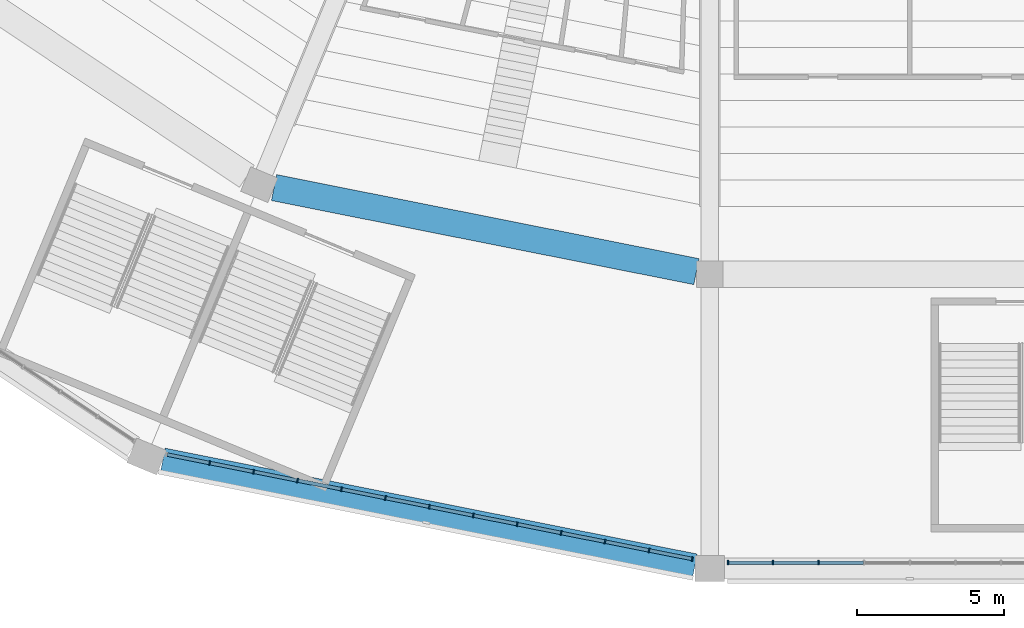
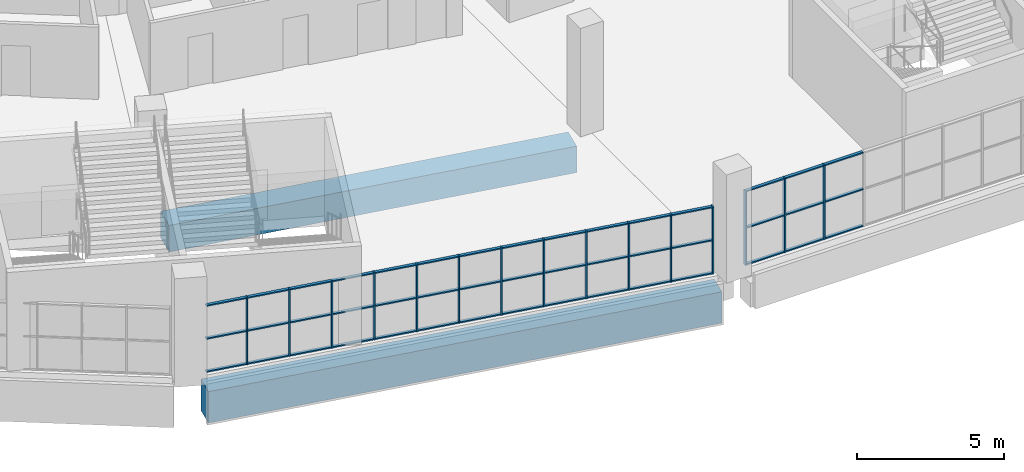
# One storey, part 5 of 249: 60 members, 2 beams, 2 elements without a shape of their own.
"""IFC4 building model written with IfcOpenShell, lengths in metres."""

from ifc_helpers import new_model, si_unit, direction, frame, origin, origin_2d, place, context, subcontext, project, spatial, rectangle, extrude, material, material_profile, profile_set, type_object, element, aggregate, save


model = new_model("IFC4")

# Units and contexts
model_context = context("Model", 3, precision=1e-05, world=origin(), true_north=direction((0.0, 1.0)))
body_context = subcontext(model_context, "Body", "Model", "MODEL_VIEW")
ifc_project = project(units=[si_unit("LENGTHUNIT", "METRE"), si_unit("AREAUNIT", "SQUARE_METRE"), si_unit("VOLUMEUNIT", "CUBIC_METRE"), si_unit("PLANEANGLEUNIT", "RADIAN"), si_unit("MASSUNIT", "GRAM", prefix="KILO")], contexts=[model_context])

# Site, building, storey
site_placement = place(None, origin())
site = spatial("IfcSite", under=ifc_project, at=site_placement, CompositionType="ELEMENT")
building_placement = place(site_placement, origin())
building = spatial("IfcBuilding", under=site, at=building_placement, Name="Ogive Plaza Stadium", CompositionType="ELEMENT")
storey_placement = place(building_placement, frame((0.0, 0.0, 13.5)))
storey = spatial("IfcBuildingStorey", under=building, at=storey_placement, Name="L03", CompositionType="ELEMENT", Elevation=13.5)

# Curtain wall, members
ifc_material_1 = material(Name="Bronze-anodised aluminium with laminated glass", Category="aluminium")
curtain_wall_type = type_object("IfcCurtainWallType", Name="Lancet curtain wall", PredefinedType="NOTDEFINED", material=ifc_material_1)
curtain_wall_1_placement = place(storey_placement, origin())
curtain_wall_1 = element("IfcCurtainWall", 1, at=curtain_wall_1_placement, inside=storey, type_object=curtain_wall_type, Name="CURTAIN WALL B16 L03", PredefinedType="NOTDEFINED")
ifc_material_2 = material(Name="Bronze-anodised aluminium", Category="aluminium")
ifc_material_profile_1 = material_profile(ifc_material_2, rectangle(XDim=0.14990234375, YDim=0.050048828125, at=origin_2d()), Name="AL 150x50")
ifc_profile_set_1 = profile_set([ifc_material_profile_1], Name="Bronze-anodised aluminium")
member_type_1 = type_object("IfcMemberType", Name="Curtain wall mullion 50x150", PredefinedType="MULLION", material=ifc_profile_set_1)
member_1_placement = place(storey_placement, frame((-30.300048828125, -102.300048828125, 0.0), z_axis=(0.0, 0.0, 1.0), x_axis=(0.0, -1.0, 0.0)))
member_1 = element("IfcMember", 2, at=member_1_placement, type_object=member_type_1, Name="CW-B16-L03 mullion 7", PredefinedType="MULLION", context=body_context, shape_type="SweptSolid", body=[
    extrude(rectangle(XDim=0.14990234375, YDim=0.050048828125, at=origin_2d()), origin(), (0.0, 0.0, 1.0), 3.090087890625),
])
member_2_placement = place(storey_placement, frame((-31.85009765625, -102.300048828125, 0.0), z_axis=(0.0, 0.0, 1.0), x_axis=(0.0, -1.0, 0.0)))
member_2 = element("IfcMember", 3, at=member_2_placement, type_object=member_type_1, Name="CW-B16-L03 mullion 8", PredefinedType="MULLION", context=body_context, shape_type="SweptSolid", body=[
    extrude(rectangle(XDim=0.14990234375, YDim=0.050048828125, at=origin_2d()), origin(), (0.0, 0.0, 1.0), 3.090087890625),
])
member_3_placement = place(storey_placement, frame((-33.375, -102.300048828125, 0.0), z_axis=(0.0, 0.0, 1.0), x_axis=(0.0, -1.0, 0.0)))
member_3 = element("IfcMember", 4, at=member_3_placement, type_object=member_type_1, Name="CW-B16-L03 mullion 9", PredefinedType="MULLION", context=body_context, shape_type="SweptSolid", body=[
    extrude(rectangle(XDim=0.14990234375, YDim=0.050048828125, at=origin_2d()), origin(), (0.0, 0.0, 1.0), 3.090087890625),
])

curtain_wall_2_placement = place(storey_placement, origin())
curtain_wall_2 = element("IfcCurtainWall", 5, at=curtain_wall_2_placement, inside=storey, type_object=curtain_wall_type, Name="CURTAIN WALL B17 L03", PredefinedType="NOTDEFINED")
member_4_placement = place(storey_placement, frame((-34.593994140625, -102.177978515625, 0.0), z_axis=(0.0, 0.0, 1.0), x_axis=(-0.195090322033, -0.9807852804, 0.0)))
member_4 = element("IfcMember", 6, at=member_4_placement, type_object=member_type_1, Name="CW-B17-L03 mullion 1", PredefinedType="MULLION", context=body_context, shape_type="SweptSolid", body=[
    extrude(rectangle(XDim=0.14990234375, YDim=0.050048828125, at=origin_2d()), origin(), (0.0, 0.0, 1.0), 2.7900390625),
])
member_5_placement = place(storey_placement, frame((-36.0625, -101.8857421875, 0.0), z_axis=(0.0, 0.0, 1.0), x_axis=(-0.195090322033, -0.9807852804, 0.0)))
member_5 = element("IfcMember", 7, at=member_5_placement, type_object=member_type_1, Name="CW-B17-L03 mullion 2", PredefinedType="MULLION", context=body_context, shape_type="SweptSolid", body=[
    extrude(rectangle(XDim=0.14990234375, YDim=0.050048828125, at=origin_2d()), origin(), (0.0, 0.0, 1.0), 2.7900390625),
])
member_6_placement = place(storey_placement, frame((-37.5556640625, -101.5888671875, 0.0), z_axis=(0.0, 0.0, 1.0), x_axis=(-0.195090322033, -0.9807852804, 0.0)))
member_6 = element("IfcMember", 8, at=member_6_placement, type_object=member_type_1, Name="CW-B17-L03 mullion 3", PredefinedType="MULLION", context=body_context, shape_type="SweptSolid", body=[
    extrude(rectangle(XDim=0.14990234375, YDim=0.050048828125, at=origin_2d()), origin(), (0.0, 0.0, 1.0), 2.7900390625),
])
member_7_placement = place(storey_placement, frame((-39.048828125, -101.291748046875, 0.0), z_axis=(0.0, 0.0, 1.0), x_axis=(-0.195090322033, -0.9807852804, 0.0)))
member_7 = element("IfcMember", 9, at=member_7_placement, type_object=member_type_1, Name="CW-B17-L03 mullion 4", PredefinedType="MULLION", context=body_context, shape_type="SweptSolid", body=[
    extrude(rectangle(XDim=0.14990234375, YDim=0.050048828125, at=origin_2d()), origin(), (0.0, 0.0, 1.0), 2.7900390625),
])
member_8_placement = place(storey_placement, frame((-40.5419921875, -100.994873046875, 0.0), z_axis=(0.0, 0.0, 1.0), x_axis=(-0.195090322033, -0.9807852804, 0.0)))
member_8 = element("IfcMember", 10, at=member_8_placement, type_object=member_type_1, Name="CW-B17-L03 mullion 5", PredefinedType="MULLION", context=body_context, shape_type="SweptSolid", body=[
    extrude(rectangle(XDim=0.14990234375, YDim=0.050048828125, at=origin_2d()), origin(), (0.0, 0.0, 1.0), 2.7900390625),
])
member_9_placement = place(storey_placement, frame((-42.034912109375, -100.69775390625, 0.0), z_axis=(0.0, 0.0, 1.0), x_axis=(-0.195090322033, -0.9807852804, 0.0)))
member_9 = element("IfcMember", 11, at=member_9_placement, type_object=member_type_1, Name="CW-B17-L03 mullion 6", PredefinedType="MULLION", context=body_context, shape_type="SweptSolid", body=[
    extrude(rectangle(XDim=0.14990234375, YDim=0.050048828125, at=origin_2d()), origin(), (0.0, 0.0, 1.0), 2.7900390625),
])
member_10_placement = place(storey_placement, frame((-43.528076171875, -100.40087890625, 0.0), z_axis=(0.0, 0.0, 1.0), x_axis=(-0.195090322033, -0.9807852804, 0.0)))
member_10 = element("IfcMember", 12, at=member_10_placement, type_object=member_type_1, Name="CW-B17-L03 mullion 7", PredefinedType="MULLION", context=body_context, shape_type="SweptSolid", body=[
    extrude(rectangle(XDim=0.14990234375, YDim=0.050048828125, at=origin_2d()), origin(), (0.0, 0.0, 1.0), 2.7900390625),
])
member_11_placement = place(storey_placement, frame((-45.021240234375, -100.103759765625, 0.0), z_axis=(0.0, 0.0, 1.0), x_axis=(-0.195090322033, -0.9807852804, 0.0)))
member_11 = element("IfcMember", 13, at=member_11_placement, type_object=member_type_1, Name="CW-B17-L03 mullion 8", PredefinedType="MULLION", context=body_context, shape_type="SweptSolid", body=[
    extrude(rectangle(XDim=0.14990234375, YDim=0.050048828125, at=origin_2d()), origin(), (0.0, 0.0, 1.0), 2.7900390625),
])
member_12_placement = place(storey_placement, frame((-46.51416015625, -99.806884765625, 0.0), z_axis=(0.0, 0.0, 1.0), x_axis=(-0.195090322033, -0.9807852804, 0.0)))
member_12 = element("IfcMember", 14, at=member_12_placement, type_object=member_type_1, Name="CW-B17-L03 mullion 9", PredefinedType="MULLION", context=body_context, shape_type="SweptSolid", body=[
    extrude(rectangle(XDim=0.14990234375, YDim=0.050048828125, at=origin_2d()), origin(), (0.0, 0.0, 1.0), 2.7900390625),
])
member_13_placement = place(storey_placement, frame((-48.00732421875, -99.509765625, 0.0), z_axis=(0.0, 0.0, 1.0), x_axis=(-0.195090322033, -0.9807852804, 0.0)))
member_13 = element("IfcMember", 15, at=member_13_placement, type_object=member_type_1, Name="CW-B17-L03 mullion 10", PredefinedType="MULLION", context=body_context, shape_type="SweptSolid", body=[
    extrude(rectangle(XDim=0.14990234375, YDim=0.050048828125, at=origin_2d()), origin(), (0.0, 0.0, 1.0), 2.7900390625),
])
member_14_placement = place(storey_placement, frame((-49.50048828125, -99.212890625, 0.0), z_axis=(0.0, 0.0, 1.0), x_axis=(-0.195090322033, -0.9807852804, 0.0)))
member_14 = element("IfcMember", 16, at=member_14_placement, type_object=member_type_1, Name="CW-B17-L03 mullion 11", PredefinedType="MULLION", context=body_context, shape_type="SweptSolid", body=[
    extrude(rectangle(XDim=0.14990234375, YDim=0.050048828125, at=origin_2d()), origin(), (0.0, 0.0, 1.0), 2.7900390625),
])
member_15_placement = place(storey_placement, frame((-50.99365234375, -98.915771484375, 0.0), z_axis=(0.0, 0.0, 1.0), x_axis=(-0.195090322033, -0.9807852804, 0.0)))
member_15 = element("IfcMember", 17, at=member_15_placement, type_object=member_type_1, Name="CW-B17-L03 mullion 12", PredefinedType="MULLION", context=body_context, shape_type="SweptSolid", body=[
    extrude(rectangle(XDim=0.14990234375, YDim=0.050048828125, at=origin_2d()), origin(), (0.0, 0.0, 1.0), 2.7900390625),
])

# Member
ifc_material_3 = material(Name="Bronze-anodised aluminium", Category="aluminium")
ifc_material_profile_2 = material_profile(ifc_material_3, rectangle(XDim=0.1201171875, YDim=0.050048828125, at=origin_2d()), Name="AL 120x50")
ifc_profile_set_2 = profile_set([ifc_material_profile_2], Name="Bronze-anodised aluminium")
member_type_2 = type_object("IfcMemberType", Name="Curtain wall transom 50x120", PredefinedType="USERDEFINED", material=ifc_profile_set_2)
member_16_placement = place(storey_placement, frame((-28.77490234375, -102.300048828125, 0.02490234375), z_axis=(-1.0, 0.0, 0.0), x_axis=(0.0, -1.0, 0.0)))
member_16 = element("IfcMember", 18, at=member_16_placement, type_object=member_type_2, Name="CW-B16-L03 transom 6.1", ObjectType="TRANSOM", PredefinedType="USERDEFINED", context=body_context, shape_type="SweptSolid", body=[
    extrude(rectangle(XDim=0.1201171875, YDim=0.050048828125, at=origin_2d()), origin(), (0.0, 0.0, 1.0), 1.5),
])

member_17_placement = place(storey_placement, frame((-28.77490234375, -102.300048828125, 1.544921875), z_axis=(-1.0, 0.0, 0.0), x_axis=(0.0, -1.0, 0.0)))
member_17 = element("IfcMember", 19, at=member_17_placement, type_object=member_type_2, Name="CW-B16-L03 transom 6.2", ObjectType="TRANSOM", PredefinedType="USERDEFINED", context=body_context, shape_type="SweptSolid", body=[
    extrude(rectangle(XDim=0.1201171875, YDim=0.050048828125, at=origin_2d()), origin(), (0.0, 0.0, 1.0), 1.5),
])

member_18_placement = place(storey_placement, frame((-28.77490234375, -102.300048828125, 3.06494140625), z_axis=(-1.0, 0.0, 0.0), x_axis=(0.0, -1.0, 0.0)))
member_18 = element("IfcMember", 20, at=member_18_placement, type_object=member_type_2, Name="CW-B16-L03 transom 6.3", ObjectType="TRANSOM", PredefinedType="USERDEFINED", context=body_context, shape_type="SweptSolid", body=[
    extrude(rectangle(XDim=0.1201171875, YDim=0.050048828125, at=origin_2d()), origin(), (0.0, 0.0, 1.0), 1.5),
])

member_19_placement = place(storey_placement, frame((-30.324951171875, -102.300048828125, 0.02490234375), z_axis=(-1.0, 0.0, 0.0), x_axis=(0.0, -1.0, 0.0)))
member_19 = element("IfcMember", 21, at=member_19_placement, type_object=member_type_2, Name="CW-B16-L03 transom 7.1", ObjectType="TRANSOM", PredefinedType="USERDEFINED", context=body_context, shape_type="SweptSolid", body=[
    extrude(rectangle(XDim=0.1201171875, YDim=0.050048828125, at=origin_2d()), origin(), (0.0, 0.0, 1.0), 1.5),
])

member_20_placement = place(storey_placement, frame((-30.324951171875, -102.300048828125, 1.544921875), z_axis=(-1.0, 0.0, 0.0), x_axis=(0.0, -1.0, 0.0)))
member_20 = element("IfcMember", 22, at=member_20_placement, type_object=member_type_2, Name="CW-B16-L03 transom 7.2", ObjectType="TRANSOM", PredefinedType="USERDEFINED", context=body_context, shape_type="SweptSolid", body=[
    extrude(rectangle(XDim=0.1201171875, YDim=0.050048828125, at=origin_2d()), origin(), (0.0, 0.0, 1.0), 1.5),
])

member_21_placement = place(storey_placement, frame((-30.324951171875, -102.300048828125, 3.06494140625), z_axis=(-1.0, 0.0, 0.0), x_axis=(0.0, -1.0, 0.0)))
member_21 = element("IfcMember", 23, at=member_21_placement, type_object=member_type_2, Name="CW-B16-L03 transom 7.3", ObjectType="TRANSOM", PredefinedType="USERDEFINED", context=body_context, shape_type="SweptSolid", body=[
    extrude(rectangle(XDim=0.1201171875, YDim=0.050048828125, at=origin_2d()), origin(), (0.0, 0.0, 1.0), 1.5),
])

member_22_placement = place(storey_placement, frame((-31.875, -102.300048828125, 0.02490234375), z_axis=(-1.0, 0.0, 0.0), x_axis=(0.0, -1.0, 0.0)))
member_22 = element("IfcMember", 24, at=member_22_placement, type_object=member_type_2, Name="CW-B16-L03 transom 8.1", ObjectType="TRANSOM", PredefinedType="USERDEFINED", context=body_context, shape_type="SweptSolid", body=[
    extrude(rectangle(XDim=0.1201171875, YDim=0.050048828125, at=origin_2d()), origin(), (0.0, 0.0, 1.0), 1.47509765625),
])

member_23_placement = place(storey_placement, frame((-31.875, -102.300048828125, 1.544921875), z_axis=(-1.0, 0.0, 0.0), x_axis=(0.0, -1.0, 0.0)))
member_23 = element("IfcMember", 25, at=member_23_placement, type_object=member_type_2, Name="CW-B16-L03 transom 8.2", ObjectType="TRANSOM", PredefinedType="USERDEFINED", context=body_context, shape_type="SweptSolid", body=[
    extrude(rectangle(XDim=0.1201171875, YDim=0.050048828125, at=origin_2d()), origin(), (0.0, 0.0, 1.0), 1.47509765625),
])

member_24_placement = place(storey_placement, frame((-31.875, -102.300048828125, 3.06494140625), z_axis=(-1.0, 0.0, 0.0), x_axis=(0.0, -1.0, 0.0)))
member_24 = element("IfcMember", 26, at=member_24_placement, type_object=member_type_2, Name="CW-B16-L03 transom 8.3", ObjectType="TRANSOM", PredefinedType="USERDEFINED", context=body_context, shape_type="SweptSolid", body=[
    extrude(rectangle(XDim=0.1201171875, YDim=0.050048828125, at=origin_2d()), origin(), (0.0, 0.0, 1.0), 1.47509765625),
])

aggregate(curtain_wall_1, [member_1, member_2, member_3, member_16, member_17, member_18, member_19, member_20, member_21, member_22, member_23, member_24])

member_25_placement = place(storey_placement, frame((-34.61865234375, -102.173095703125, 0.02490234375), z_axis=(-0.980768379534, 0.195175269199, 0.0), x_axis=(-0.195175269199, -0.980768379534, 0.0)))
member_25 = element("IfcMember", 27, at=member_25_placement, type_object=member_type_2, Name="CW-B17-L03 transom 1.1", ObjectType="TRANSOM", PredefinedType="USERDEFINED", context=body_context, shape_type="SweptSolid", body=[
    extrude(rectangle(XDim=0.1201171875, YDim=0.050048828125, at=origin_2d()), origin(), (0.0, 0.0, 1.0), 1.447265625),
])

member_26_placement = place(storey_placement, frame((-34.61865234375, -102.173095703125, 1.39501953125), z_axis=(-0.980768379534, 0.195175269199, 0.0), x_axis=(-0.195175269199, -0.980768379534, 0.0)))
member_26 = element("IfcMember", 28, at=member_26_placement, type_object=member_type_2, Name="CW-B17-L03 transom 1.2", ObjectType="TRANSOM", PredefinedType="USERDEFINED", context=body_context, shape_type="SweptSolid", body=[
    extrude(rectangle(XDim=0.1201171875, YDim=0.050048828125, at=origin_2d()), origin(), (0.0, 0.0, 1.0), 1.447265625),
])

member_27_placement = place(storey_placement, frame((-34.61865234375, -102.173095703125, 2.764892578125), z_axis=(-0.980768379534, 0.195175269199, 0.0), x_axis=(-0.195175269199, -0.980768379534, 0.0)))
member_27 = element("IfcMember", 29, at=member_27_placement, type_object=member_type_2, Name="CW-B17-L03 transom 1.3", ObjectType="TRANSOM", PredefinedType="USERDEFINED", context=body_context, shape_type="SweptSolid", body=[
    extrude(rectangle(XDim=0.1201171875, YDim=0.050048828125, at=origin_2d()), origin(), (0.0, 0.0, 1.0), 1.447265625),
])

member_28_placement = place(storey_placement, frame((-36.087158203125, -101.880859375, 0.02490234375), z_axis=(-0.980803254763, 0.194999937042, 0.0), x_axis=(-0.194999937042, -0.980803254763, 0.0)))
member_28 = element("IfcMember", 30, at=member_28_placement, type_object=member_type_2, Name="CW-B17-L03 transom 2.1", ObjectType="TRANSOM", PredefinedType="USERDEFINED", context=body_context, shape_type="SweptSolid", body=[
    extrude(rectangle(XDim=0.1201171875, YDim=0.050048828125, at=origin_2d()), origin(), (0.0, 0.0, 1.0), 1.472412109375),
])

member_29_placement = place(storey_placement, frame((-36.087158203125, -101.880859375, 1.39501953125), z_axis=(-0.980803254763, 0.194999937042, 0.0), x_axis=(-0.194999937042, -0.980803254763, 0.0)))
member_29 = element("IfcMember", 31, at=member_29_placement, type_object=member_type_2, Name="CW-B17-L03 transom 2.2", ObjectType="TRANSOM", PredefinedType="USERDEFINED", context=body_context, shape_type="SweptSolid", body=[
    extrude(rectangle(XDim=0.1201171875, YDim=0.050048828125, at=origin_2d()), origin(), (0.0, 0.0, 1.0), 1.472412109375),
])

member_30_placement = place(storey_placement, frame((-36.087158203125, -101.880859375, 2.764892578125), z_axis=(-0.980803254763, 0.194999937042, 0.0), x_axis=(-0.194999937042, -0.980803254763, 0.0)))
member_30 = element("IfcMember", 32, at=member_30_placement, type_object=member_type_2, Name="CW-B17-L03 transom 2.3", ObjectType="TRANSOM", PredefinedType="USERDEFINED", context=body_context, shape_type="SweptSolid", body=[
    extrude(rectangle(XDim=0.1201171875, YDim=0.050048828125, at=origin_2d()), origin(), (0.0, 0.0, 1.0), 1.472412109375),
])

member_31_placement = place(storey_placement, frame((-37.580322265625, -101.583984375, 0.02490234375), z_axis=(-0.980765212551, 0.195191182816, 0.0), x_axis=(-0.195191182816, -0.980765212551, 0.0)))
member_31 = element("IfcMember", 33, at=member_31_placement, type_object=member_type_2, Name="CW-B17-L03 transom 3.1", ObjectType="TRANSOM", PredefinedType="USERDEFINED", context=body_context, shape_type="SweptSolid", body=[
    extrude(rectangle(XDim=0.1201171875, YDim=0.050048828125, at=origin_2d()), origin(), (0.0, 0.0, 1.0), 1.47216796875),
])

member_32_placement = place(storey_placement, frame((-37.580322265625, -101.583984375, 1.39501953125), z_axis=(-0.980765212551, 0.195191182816, 0.0), x_axis=(-0.195191182816, -0.980765212551, 0.0)))
member_32 = element("IfcMember", 34, at=member_32_placement, type_object=member_type_2, Name="CW-B17-L03 transom 3.2", ObjectType="TRANSOM", PredefinedType="USERDEFINED", context=body_context, shape_type="SweptSolid", body=[
    extrude(rectangle(XDim=0.1201171875, YDim=0.050048828125, at=origin_2d()), origin(), (0.0, 0.0, 1.0), 1.47216796875),
])

member_33_placement = place(storey_placement, frame((-37.580322265625, -101.583984375, 2.764892578125), z_axis=(-0.980765212551, 0.195191182816, 0.0), x_axis=(-0.195191182816, -0.980765212551, 0.0)))
member_33 = element("IfcMember", 35, at=member_33_placement, type_object=member_type_2, Name="CW-B17-L03 transom 3.3", ObjectType="TRANSOM", PredefinedType="USERDEFINED", context=body_context, shape_type="SweptSolid", body=[
    extrude(rectangle(XDim=0.1201171875, YDim=0.050048828125, at=origin_2d()), origin(), (0.0, 0.0, 1.0), 1.47216796875),
])

member_34_placement = place(storey_placement, frame((-39.0732421875, -101.286865234375, 0.02490234375), z_axis=(-0.980803254763, 0.194999937042, 0.0), x_axis=(-0.194999937042, -0.980803254763, 0.0)))
member_34 = element("IfcMember", 36, at=member_34_placement, type_object=member_type_2, Name="CW-B17-L03 transom 4.1", ObjectType="TRANSOM", PredefinedType="USERDEFINED", context=body_context, shape_type="SweptSolid", body=[
    extrude(rectangle(XDim=0.1201171875, YDim=0.050048828125, at=origin_2d()), origin(), (0.0, 0.0, 1.0), 1.472412109375),
])

member_35_placement = place(storey_placement, frame((-39.0732421875, -101.286865234375, 1.39501953125), z_axis=(-0.980803254763, 0.194999937042, 0.0), x_axis=(-0.194999937042, -0.980803254763, 0.0)))
member_35 = element("IfcMember", 37, at=member_35_placement, type_object=member_type_2, Name="CW-B17-L03 transom 4.2", ObjectType="TRANSOM", PredefinedType="USERDEFINED", context=body_context, shape_type="SweptSolid", body=[
    extrude(rectangle(XDim=0.1201171875, YDim=0.050048828125, at=origin_2d()), origin(), (0.0, 0.0, 1.0), 1.472412109375),
])

member_36_placement = place(storey_placement, frame((-39.0732421875, -101.286865234375, 2.764892578125), z_axis=(-0.980803254763, 0.194999937042, 0.0), x_axis=(-0.194999937042, -0.980803254763, 0.0)))
member_36 = element("IfcMember", 38, at=member_36_placement, type_object=member_type_2, Name="CW-B17-L03 transom 4.3", ObjectType="TRANSOM", PredefinedType="USERDEFINED", context=body_context, shape_type="SweptSolid", body=[
    extrude(rectangle(XDim=0.1201171875, YDim=0.050048828125, at=origin_2d()), origin(), (0.0, 0.0, 1.0), 1.472412109375),
])

member_37_placement = place(storey_placement, frame((-40.56640625, -100.989990234375, 0.02490234375), z_axis=(-0.980771529367, 0.195159440417, 0.0), x_axis=(-0.195159440417, -0.980771529367, 0.0)))
member_37 = element("IfcMember", 39, at=member_37_placement, type_object=member_type_2, Name="CW-B17-L03 transom 5.1", ObjectType="TRANSOM", PredefinedType="USERDEFINED", context=body_context, shape_type="SweptSolid", body=[
    extrude(rectangle(XDim=0.1201171875, YDim=0.050048828125, at=origin_2d()), origin(), (0.0, 0.0, 1.0), 1.472412109375),
])

member_38_placement = place(storey_placement, frame((-40.56640625, -100.989990234375, 1.39501953125), z_axis=(-0.980771529367, 0.195159440417, 0.0), x_axis=(-0.195159440417, -0.980771529367, 0.0)))
member_38 = element("IfcMember", 40, at=member_38_placement, type_object=member_type_2, Name="CW-B17-L03 transom 5.2", ObjectType="TRANSOM", PredefinedType="USERDEFINED", context=body_context, shape_type="SweptSolid", body=[
    extrude(rectangle(XDim=0.1201171875, YDim=0.050048828125, at=origin_2d()), origin(), (0.0, 0.0, 1.0), 1.472412109375),
])

member_39_placement = place(storey_placement, frame((-40.56640625, -100.989990234375, 2.764892578125), z_axis=(-0.980771529367, 0.195159440417, 0.0), x_axis=(-0.195159440417, -0.980771529367, 0.0)))
member_39 = element("IfcMember", 41, at=member_39_placement, type_object=member_type_2, Name="CW-B17-L03 transom 5.3", ObjectType="TRANSOM", PredefinedType="USERDEFINED", context=body_context, shape_type="SweptSolid", body=[
    extrude(rectangle(XDim=0.1201171875, YDim=0.050048828125, at=origin_2d()), origin(), (0.0, 0.0, 1.0), 1.472412109375),
])

member_40_placement = place(storey_placement, frame((-42.0595703125, -100.69287109375, 0.02490234375), z_axis=(-0.980803254763, 0.194999937042, 0.0), x_axis=(-0.194999937042, -0.980803254763, 0.0)))
member_40 = element("IfcMember", 42, at=member_40_placement, type_object=member_type_2, Name="CW-B17-L03 transom 6.1", ObjectType="TRANSOM", PredefinedType="USERDEFINED", context=body_context, shape_type="SweptSolid", body=[
    extrude(rectangle(XDim=0.1201171875, YDim=0.050048828125, at=origin_2d()), origin(), (0.0, 0.0, 1.0), 1.472412109375),
])

member_41_placement = place(storey_placement, frame((-42.0595703125, -100.69287109375, 1.39501953125), z_axis=(-0.980803254763, 0.194999937042, 0.0), x_axis=(-0.194999937042, -0.980803254763, 0.0)))
member_41 = element("IfcMember", 43, at=member_41_placement, type_object=member_type_2, Name="CW-B17-L03 transom 6.2", ObjectType="TRANSOM", PredefinedType="USERDEFINED", context=body_context, shape_type="SweptSolid", body=[
    extrude(rectangle(XDim=0.1201171875, YDim=0.050048828125, at=origin_2d()), origin(), (0.0, 0.0, 1.0), 1.472412109375),
])

member_42_placement = place(storey_placement, frame((-42.0595703125, -100.69287109375, 2.764892578125), z_axis=(-0.980803254763, 0.194999937042, 0.0), x_axis=(-0.194999937042, -0.980803254763, 0.0)))
member_42 = element("IfcMember", 44, at=member_42_placement, type_object=member_type_2, Name="CW-B17-L03 transom 6.3", ObjectType="TRANSOM", PredefinedType="USERDEFINED", context=body_context, shape_type="SweptSolid", body=[
    extrude(rectangle(XDim=0.1201171875, YDim=0.050048828125, at=origin_2d()), origin(), (0.0, 0.0, 1.0), 1.472412109375),
])

member_43_placement = place(storey_placement, frame((-43.552490234375, -100.39599609375, 0.02490234375), z_axis=(-0.980771529367, 0.195159440417, 0.0), x_axis=(-0.195159440417, -0.980771529367, 0.0)))
member_43 = element("IfcMember", 45, at=member_43_placement, type_object=member_type_2, Name="CW-B17-L03 transom 7.1", ObjectType="TRANSOM", PredefinedType="USERDEFINED", context=body_context, shape_type="SweptSolid", body=[
    extrude(rectangle(XDim=0.1201171875, YDim=0.050048828125, at=origin_2d()), origin(), (0.0, 0.0, 1.0), 1.472412109375),
])

member_44_placement = place(storey_placement, frame((-43.552490234375, -100.39599609375, 1.39501953125), z_axis=(-0.980771529367, 0.195159440417, 0.0), x_axis=(-0.195159440417, -0.980771529367, 0.0)))
member_44 = element("IfcMember", 46, at=member_44_placement, type_object=member_type_2, Name="CW-B17-L03 transom 7.2", ObjectType="TRANSOM", PredefinedType="USERDEFINED", context=body_context, shape_type="SweptSolid", body=[
    extrude(rectangle(XDim=0.1201171875, YDim=0.050048828125, at=origin_2d()), origin(), (0.0, 0.0, 1.0), 1.472412109375),
])

member_45_placement = place(storey_placement, frame((-43.552490234375, -100.39599609375, 2.764892578125), z_axis=(-0.980771529367, 0.195159440417, 0.0), x_axis=(-0.195159440417, -0.980771529367, 0.0)))
member_45 = element("IfcMember", 47, at=member_45_placement, type_object=member_type_2, Name="CW-B17-L03 transom 7.3", ObjectType="TRANSOM", PredefinedType="USERDEFINED", context=body_context, shape_type="SweptSolid", body=[
    extrude(rectangle(XDim=0.1201171875, YDim=0.050048828125, at=origin_2d()), origin(), (0.0, 0.0, 1.0), 1.472412109375),
])

member_46_placement = place(storey_placement, frame((-45.045654296875, -100.098876953125, 0.02490234375), z_axis=(-0.980803254763, 0.194999937042, 0.0), x_axis=(-0.194999937042, -0.980803254763, 0.0)))
member_46 = element("IfcMember", 48, at=member_46_placement, type_object=member_type_2, Name="CW-B17-L03 transom 8.1", ObjectType="TRANSOM", PredefinedType="USERDEFINED", context=body_context, shape_type="SweptSolid", body=[
    extrude(rectangle(XDim=0.1201171875, YDim=0.050048828125, at=origin_2d()), origin(), (0.0, 0.0, 1.0), 1.472412109375),
])

member_47_placement = place(storey_placement, frame((-45.045654296875, -100.098876953125, 1.39501953125), z_axis=(-0.980803254763, 0.194999937042, 0.0), x_axis=(-0.194999937042, -0.980803254763, 0.0)))
member_47 = element("IfcMember", 49, at=member_47_placement, type_object=member_type_2, Name="CW-B17-L03 transom 8.2", ObjectType="TRANSOM", PredefinedType="USERDEFINED", context=body_context, shape_type="SweptSolid", body=[
    extrude(rectangle(XDim=0.1201171875, YDim=0.050048828125, at=origin_2d()), origin(), (0.0, 0.0, 1.0), 1.472412109375),
])

member_48_placement = place(storey_placement, frame((-45.045654296875, -100.098876953125, 2.764892578125), z_axis=(-0.980803254763, 0.194999937042, 0.0), x_axis=(-0.194999937042, -0.980803254763, 0.0)))
member_48 = element("IfcMember", 50, at=member_48_placement, type_object=member_type_2, Name="CW-B17-L03 transom 8.3", ObjectType="TRANSOM", PredefinedType="USERDEFINED", context=body_context, shape_type="SweptSolid", body=[
    extrude(rectangle(XDim=0.1201171875, YDim=0.050048828125, at=origin_2d()), origin(), (0.0, 0.0, 1.0), 1.472412109375),
])

member_49_placement = place(storey_placement, frame((-46.538818359375, -99.802001953125, 0.02490234375), z_axis=(-0.980771529367, 0.195159440417, 0.0), x_axis=(-0.195159440417, -0.980771529367, 0.0)))
member_49 = element("IfcMember", 51, at=member_49_placement, type_object=member_type_2, Name="CW-B17-L03 transom 9.1", ObjectType="TRANSOM", PredefinedType="USERDEFINED", context=body_context, shape_type="SweptSolid", body=[
    extrude(rectangle(XDim=0.1201171875, YDim=0.050048828125, at=origin_2d()), origin(), (0.0, 0.0, 1.0), 1.472412109375),
])

member_50_placement = place(storey_placement, frame((-46.538818359375, -99.802001953125, 1.39501953125), z_axis=(-0.980771529367, 0.195159440417, 0.0), x_axis=(-0.195159440417, -0.980771529367, 0.0)))
member_50 = element("IfcMember", 52, at=member_50_placement, type_object=member_type_2, Name="CW-B17-L03 transom 9.2", ObjectType="TRANSOM", PredefinedType="USERDEFINED", context=body_context, shape_type="SweptSolid", body=[
    extrude(rectangle(XDim=0.1201171875, YDim=0.050048828125, at=origin_2d()), origin(), (0.0, 0.0, 1.0), 1.472412109375),
])

member_51_placement = place(storey_placement, frame((-46.538818359375, -99.802001953125, 2.764892578125), z_axis=(-0.980771529367, 0.195159440417, 0.0), x_axis=(-0.195159440417, -0.980771529367, 0.0)))
member_51 = element("IfcMember", 53, at=member_51_placement, type_object=member_type_2, Name="CW-B17-L03 transom 9.3", ObjectType="TRANSOM", PredefinedType="USERDEFINED", context=body_context, shape_type="SweptSolid", body=[
    extrude(rectangle(XDim=0.1201171875, YDim=0.050048828125, at=origin_2d()), origin(), (0.0, 0.0, 1.0), 1.472412109375),
])

member_52_placement = place(storey_placement, frame((-48.031982421875, -99.5048828125, 0.02490234375), z_axis=(-0.980796948065, 0.19503165555, 0.0), x_axis=(-0.19503165555, -0.980796948065, 0.0)))
member_52 = element("IfcMember", 54, at=member_52_placement, type_object=member_type_2, Name="CW-B17-L03 transom 10.1", ObjectType="TRANSOM", PredefinedType="USERDEFINED", context=body_context, shape_type="SweptSolid", body=[
    extrude(rectangle(XDim=0.1201171875, YDim=0.050048828125, at=origin_2d()), origin(), (0.0, 0.0, 1.0), 1.47216796875),
])

member_53_placement = place(storey_placement, frame((-48.031982421875, -99.5048828125, 1.39501953125), z_axis=(-0.980796948065, 0.19503165555, 0.0), x_axis=(-0.19503165555, -0.980796948065, 0.0)))
member_53 = element("IfcMember", 55, at=member_53_placement, type_object=member_type_2, Name="CW-B17-L03 transom 10.2", ObjectType="TRANSOM", PredefinedType="USERDEFINED", context=body_context, shape_type="SweptSolid", body=[
    extrude(rectangle(XDim=0.1201171875, YDim=0.050048828125, at=origin_2d()), origin(), (0.0, 0.0, 1.0), 1.47216796875),
])

member_54_placement = place(storey_placement, frame((-48.031982421875, -99.5048828125, 2.764892578125), z_axis=(-0.980796948065, 0.19503165555, 0.0), x_axis=(-0.19503165555, -0.980796948065, 0.0)))
member_54 = element("IfcMember", 56, at=member_54_placement, type_object=member_type_2, Name="CW-B17-L03 transom 10.3", ObjectType="TRANSOM", PredefinedType="USERDEFINED", context=body_context, shape_type="SweptSolid", body=[
    extrude(rectangle(XDim=0.1201171875, YDim=0.050048828125, at=origin_2d()), origin(), (0.0, 0.0, 1.0), 1.47216796875),
])

member_55_placement = place(storey_placement, frame((-49.52490234375, -99.2080078125, 0.02490234375), z_axis=(-0.980771529367, 0.195159440417, 0.0), x_axis=(-0.195159440417, -0.980771529367, 0.0)))
member_55 = element("IfcMember", 57, at=member_55_placement, type_object=member_type_2, Name="CW-B17-L03 transom 11.1", ObjectType="TRANSOM", PredefinedType="USERDEFINED", context=body_context, shape_type="SweptSolid", body=[
    extrude(rectangle(XDim=0.1201171875, YDim=0.050048828125, at=origin_2d()), origin(), (0.0, 0.0, 1.0), 1.472412109375),
])

member_56_placement = place(storey_placement, frame((-49.52490234375, -99.2080078125, 1.39501953125), z_axis=(-0.980771529367, 0.195159440417, 0.0), x_axis=(-0.195159440417, -0.980771529367, 0.0)))
member_56 = element("IfcMember", 58, at=member_56_placement, type_object=member_type_2, Name="CW-B17-L03 transom 11.2", ObjectType="TRANSOM", PredefinedType="USERDEFINED", context=body_context, shape_type="SweptSolid", body=[
    extrude(rectangle(XDim=0.1201171875, YDim=0.050048828125, at=origin_2d()), origin(), (0.0, 0.0, 1.0), 1.472412109375),
])

member_57_placement = place(storey_placement, frame((-49.52490234375, -99.2080078125, 2.764892578125), z_axis=(-0.980771529367, 0.195159440417, 0.0), x_axis=(-0.195159440417, -0.980771529367, 0.0)))
member_57 = element("IfcMember", 59, at=member_57_placement, type_object=member_type_2, Name="CW-B17-L03 transom 11.3", ObjectType="TRANSOM", PredefinedType="USERDEFINED", context=body_context, shape_type="SweptSolid", body=[
    extrude(rectangle(XDim=0.1201171875, YDim=0.050048828125, at=origin_2d()), origin(), (0.0, 0.0, 1.0), 1.472412109375),
])

member_58_placement = place(storey_placement, frame((-51.01806640625, -98.910888671875, 0.02490234375), z_axis=(-0.98080065826, 0.195012996379, 0.0), x_axis=(-0.195012996379, -0.98080065826, 0.0)))
member_58 = element("IfcMember", 60, at=member_58_placement, type_object=member_type_2, Name="CW-B17-L03 transom 12.1", ObjectType="TRANSOM", PredefinedType="USERDEFINED", context=body_context, shape_type="SweptSolid", body=[
    extrude(rectangle(XDim=0.1201171875, YDim=0.050048828125, at=origin_2d()), origin(), (0.0, 0.0, 1.0), 1.447265625),
])

member_59_placement = place(storey_placement, frame((-51.01806640625, -98.910888671875, 1.39501953125), z_axis=(-0.98080065826, 0.195012996379, 0.0), x_axis=(-0.195012996379, -0.98080065826, 0.0)))
member_59 = element("IfcMember", 61, at=member_59_placement, type_object=member_type_2, Name="CW-B17-L03 transom 12.2", ObjectType="TRANSOM", PredefinedType="USERDEFINED", context=body_context, shape_type="SweptSolid", body=[
    extrude(rectangle(XDim=0.1201171875, YDim=0.050048828125, at=origin_2d()), origin(), (0.0, 0.0, 1.0), 1.447265625),
])

member_60_placement = place(storey_placement, frame((-51.01806640625, -98.910888671875, 2.764892578125), z_axis=(-0.98080065826, 0.195012996379, 0.0), x_axis=(-0.195012996379, -0.98080065826, 0.0)))
member_60 = element("IfcMember", 62, at=member_60_placement, type_object=member_type_2, Name="CW-B17-L03 transom 12.3", ObjectType="TRANSOM", PredefinedType="USERDEFINED", context=body_context, shape_type="SweptSolid", body=[
    extrude(rectangle(XDim=0.1201171875, YDim=0.050048828125, at=origin_2d()), origin(), (0.0, 0.0, 1.0), 1.447265625),
])

aggregate(curtain_wall_2, [member_4, member_5, member_6, member_7, member_8, member_9, member_10, member_11, member_12, member_13, member_14, member_15, member_25, member_26, member_27, member_28, member_29, member_30, member_31, member_32, member_33, member_34, member_35, member_36, member_37, member_38, member_39, member_40, member_41, member_42, member_43, member_44, member_45, member_46, member_47, member_48, member_49, member_50, member_51, member_52, member_53, member_54, member_55, member_56, member_57, member_58, member_59, member_60])

# Beams
ifc_material_4 = material(Name="Concrete C40/50", Category="concrete")
ifc_material_profile_3 = material_profile(ifc_material_4, rectangle(XDim=0.89990234375, YDim=1.10009765625, at=origin_2d()), Name="RC 900x1100")
ifc_profile_set_3 = profile_set([ifc_material_profile_3], Name="Concrete C40/50")
beam_type_1 = type_object("IfcBeamType", Name="RC ring beam 900x1100", PredefinedType="BEAM", material=ifc_profile_set_3)
beam_1_placement = place(storey_placement, frame((-34.449951171875, -92.410400390625, -0.9599609375), z_axis=(-0.980787317906, 0.195080078519, 0.0), x_axis=(-0.195080078519, -0.980787317906, 0.0)))
element("IfcBeam", 63, at=beam_1_placement, inside=storey, type_object=beam_type_1, Name="Ring beam F4 L03 B17", PredefinedType="BEAM", context=body_context, shape_type="SweptSolid", body=[
    extrude(rectangle(XDim=0.89990234375, YDim=1.10009765625, at=origin_2d()), origin(), (0.0, 0.0, 1.0), 14.638671875),
])
ifc_material_5 = material(Name="Concrete C40/50", Category="concrete")
ifc_material_profile_4 = material_profile(ifc_material_5, rectangle(XDim=0.800048828125, YDim=1.300048828125, at=origin_2d()), Name="RC 800x1300")
ifc_profile_set_4 = profile_set([ifc_material_profile_4], Name="Concrete C40/50")
beam_type_2 = type_object("IfcBeamType", Name="RC spandrel beam 800x1300", PredefinedType="SPANDREL", material=ifc_profile_set_4)
beam_2_placement = place(storey_placement, frame((-34.5, -102.400634765625, -1.06005859375), z_axis=(-0.980785371075, 0.195089866178, 0.0), x_axis=(-0.195089866178, -0.980785371075, 0.0)))
element("IfcBeam", 64, at=beam_2_placement, inside=storey, type_object=beam_type_2, Name="Ring beam F5 L03 B17", PredefinedType="SPANDREL", context=body_context, shape_type="SweptSolid", body=[
    extrude(rectangle(XDim=0.800048828125, YDim=1.300048828125, at=origin_2d()), origin(), (0.0, 0.0, 1.0), 18.4384765625),
])

save(model, "model.ifc")
